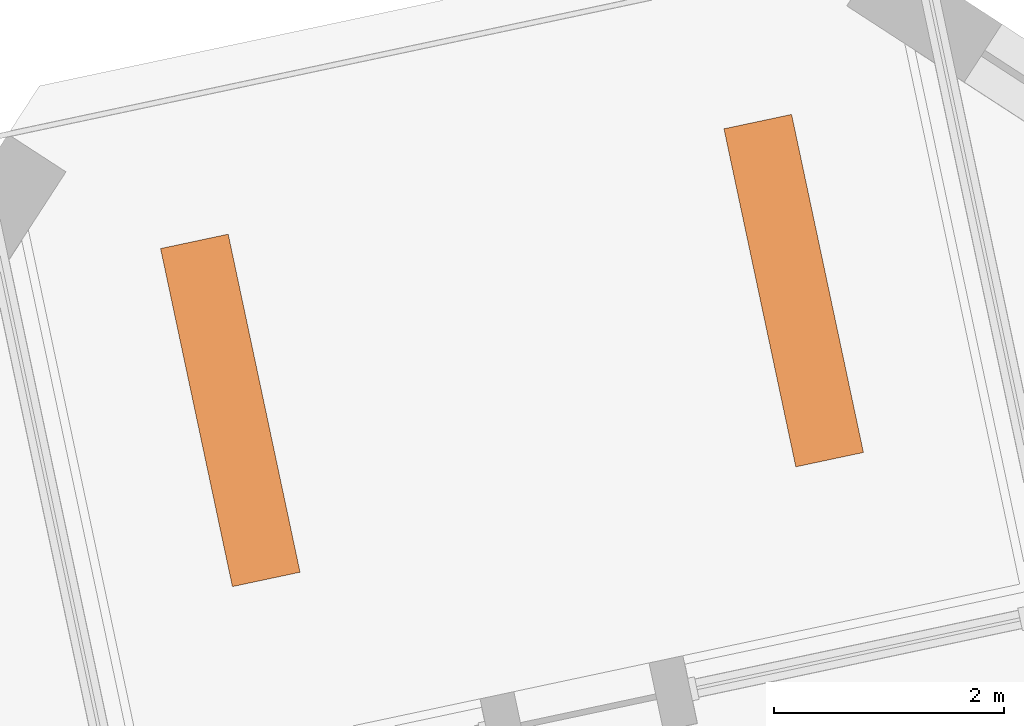
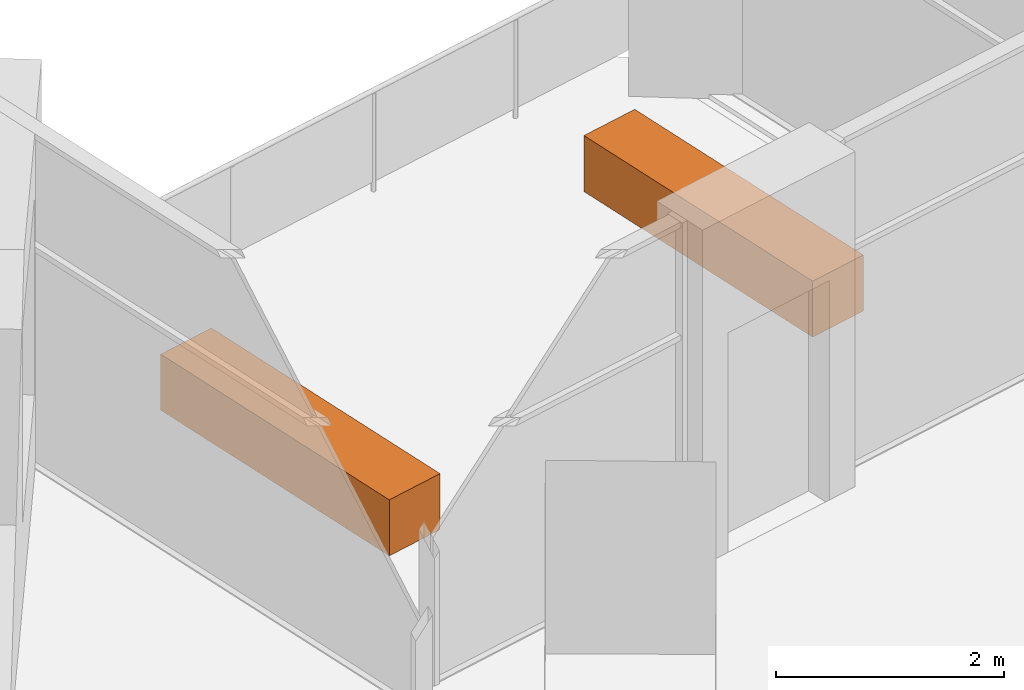
# One storey, part 12 of 12: 2 proxies.
"""IFC4 building model written with IfcOpenShell, lengths in metres."""

from ifc_helpers import new_model, si_unit, direction, frame, origin, origin_2d, place, context, subcontext, project, spatial, rectangle, extrude, element, save


model = new_model("IFC4")

# Units and contexts
model_context = context("Model", 3, precision=1e-05, world=origin(), true_north=direction((0.0, 1.0)))
body_context = subcontext(model_context, "Body", "Model", "MODEL_VIEW")
ifc_project = project(units=[si_unit("LENGTHUNIT", "METRE"), si_unit("AREAUNIT", "SQUARE_METRE"), si_unit("VOLUMEUNIT", "CUBIC_METRE"), si_unit("PLANEANGLEUNIT", "RADIAN"), si_unit("MASSUNIT", "GRAM", prefix="KILO")], contexts=[model_context])

# Site, building, storey
site_placement = place(None, origin())
site = spatial("IfcSite", under=ifc_project, at=site_placement, CompositionType="ELEMENT")
building_placement = place(site_placement, origin())
building = spatial("IfcBuilding", under=site, at=building_placement, Name="Dilmun Exchange Tower", CompositionType="ELEMENT")
storey_placement = place(building_placement, frame((0.0, 0.0, 258.89990234375)))
storey = spatial("IfcBuildingStorey", under=building, at=storey_placement, Name="L61", CompositionType="ELEMENT", Elevation=258.89990234375)

# Proxies
for number, where, z_axis, x_axis, name in (
    (1, (0.28759765625, 32.097412109375, 0.0), (0.0, 0.0, 1.0), (-0.207911690818, 0.978147600734, 0.0), "PLANTER Ghaf tree L61.1"),
    (2, (-4.60302734375, 31.057861328125, 0.0), (0.0, 0.0, 1.0), (-0.207911690818, 0.978147600734, 0.0), "PLANTER Ghaf tree L61.2"),
):
    element("IfcBuildingElementProxy", number, at=place(storey_placement, frame(where, z_axis=z_axis, x_axis=x_axis)), inside=storey, Name=name, ObjectType="PLANTER", PredefinedType="USERDEFINED", context=body_context, shape_type="SweptSolid", body=[
        extrude(rectangle(XDim=3.0, YDim=0.60009765625, at=origin_2d()), origin(), (0.0, 0.0, 1.0), 0.60009765625),
    ])

save(model, "model.ifc")
